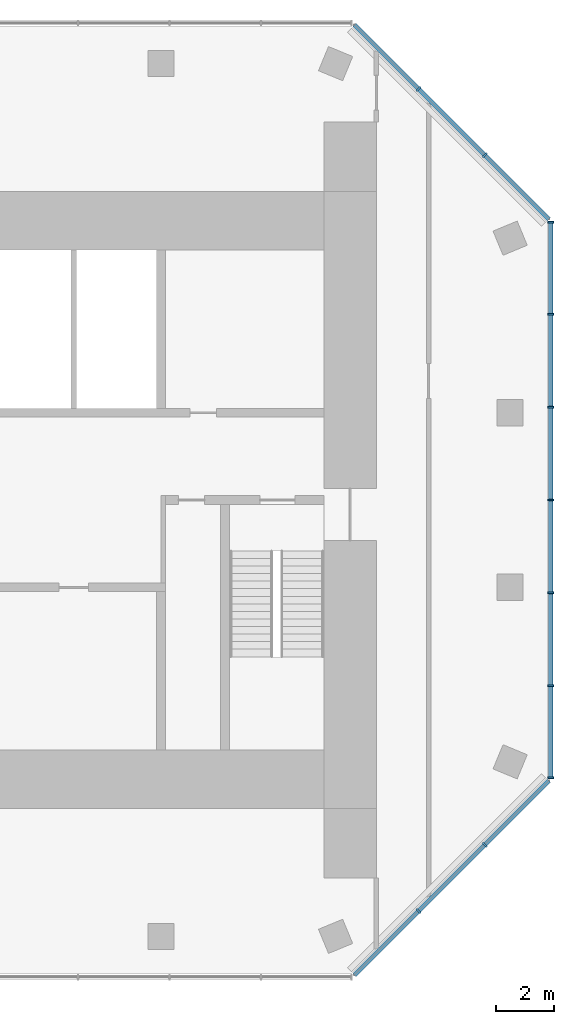
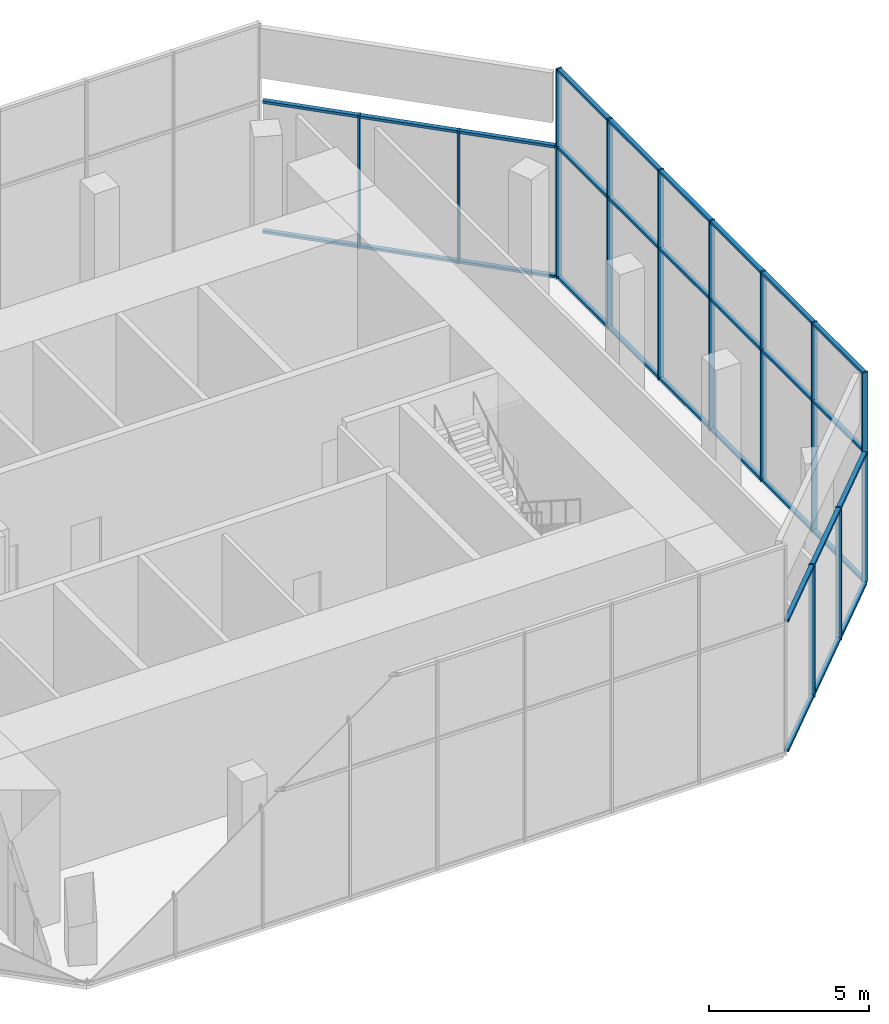
# One storey, part 4 of 9: 41 members, 3 elements without a shape of their own.
"""IFC4 building model written with IfcOpenShell, lengths in metres."""

from ifc_helpers import new_model, si_unit, direction, frame, origin, origin_2d, place, context, subcontext, project, spatial, rectangle, extrude, material, layer, layer_set, material_profile, profile_set, type_object, element, aggregate, save


model = new_model("IFC4")

# Units and contexts
model_context = context("Model", 3, precision=1e-05, world=origin(), true_north=direction((0.0, 1.0)))
body_context = subcontext(model_context, "Body", "Model", "MODEL_VIEW")
ifc_project = project(units=[si_unit("LENGTHUNIT", "METRE"), si_unit("AREAUNIT", "SQUARE_METRE"), si_unit("VOLUMEUNIT", "CUBIC_METRE"), si_unit("PLANEANGLEUNIT", "RADIAN"), si_unit("MASSUNIT", "GRAM", prefix="KILO")], contexts=[model_context])

# Site, building, storey
site_placement = place(None, origin())
site = spatial("IfcSite", under=ifc_project, at=site_placement, CompositionType="ELEMENT")
building_placement = place(site_placement, origin())
building = spatial("IfcBuilding", under=site, at=building_placement, Name="Highveld Stack Headquarters", CompositionType="ELEMENT")
storey_placement = place(building_placement, frame((0.0, 0.0, 300.699951171875)))
storey = spatial("IfcBuildingStorey", under=building, at=storey_placement, Name="L74", CompositionType="ELEMENT", Elevation=300.699951171875)

# Curtain wall, members
ifc_material_1 = material(Name="Aluminium bronze anodised", Category="aluminium")
ifc_layer = layer(ifc_material_1, 0.199951171875)
ifc_layer_set = layer_set([ifc_layer], Name="Aluminium bronze anodised")
curtain_wall_type = type_object("IfcCurtainWallType", Name="CW4 LANTERN CURTAIN WALL", PredefinedType="NOTDEFINED", material=ifc_layer_set)
curtain_wall_1_placement = place(storey_placement, origin())
curtain_wall_1 = element("IfcCurtainWall", 1, at=curtain_wall_1_placement, inside=storey, type_object=curtain_wall_type, Name="Curtain wall CW4 L74 SE", PredefinedType="NOTDEFINED")
ifc_material_2 = material(Name="Aluminium bronze anodised", Category="aluminium")
ifc_material_profile_1 = material_profile(ifc_material_2, rectangle(XDim=0.199951171875, YDim=0.06494140625, at=origin_2d()), Name="CW4 MULLION 65x200")
ifc_profile_set_1 = profile_set([ifc_material_profile_1], Name="Aluminium bronze anodised")
member_type_1 = type_object("IfcMemberType", Name="CW4 MULLION 65x200", PredefinedType="MULLION", material=ifc_profile_set_1)
member_1_placement = place(storey_placement, frame((20.853271484375, -11.126708984375, 0.0), z_axis=(0.0, 0.0, 1.0), x_axis=(-0.707106781187, 0.707106781187, 0.0)))
member_1 = element("IfcMember", 2, at=member_1_placement, type_object=member_type_1, Name="CW4 mullion L74 1", PredefinedType="MULLION", context=body_context, shape_type="SweptSolid", body=[
    extrude(rectangle(XDim=0.199951171875, YDim=0.06494140625, at=origin_2d()), origin(), (0.0, 0.0, 1.0), 5.050048828125),
])
member_2_placement = place(storey_placement, frame((23.126708984375, -8.853271484375, 0.0), z_axis=(0.0, 0.0, 1.0), x_axis=(-0.707106781187, 0.707106781187, 0.0)))
member_2 = element("IfcMember", 3, at=member_2_placement, type_object=member_type_1, Name="CW4 mullion L74 2", PredefinedType="MULLION", context=body_context, shape_type="SweptSolid", body=[
    extrude(rectangle(XDim=0.199951171875, YDim=0.06494140625, at=origin_2d()), origin(), (0.0, 0.0, 1.0), 5.050048828125),
])

curtain_wall_2_placement = place(storey_placement, origin())
curtain_wall_2 = element("IfcCurtainWall", 4, at=curtain_wall_2_placement, inside=storey, type_object=curtain_wall_type, Name="Curtain wall CW4 L74 E", PredefinedType="NOTDEFINED")
member_3_placement = place(storey_placement, frame((25.39990234375, -6.54736328125, 0.0), z_axis=(0.0, 0.0, 1.0), x_axis=(-1.0, 0.0, 0.0)))
member_3 = element("IfcMember", 5, at=member_3_placement, type_object=member_type_1, Name="CW4 mullion L74 1", PredefinedType="MULLION", context=body_context, shape_type="SweptSolid", body=[
    extrude(rectangle(XDim=0.199951171875, YDim=0.06494140625, at=origin_2d()), origin(), (0.0, 0.0, 1.0), 8.0),
])
member_4_placement = place(storey_placement, frame((25.39990234375, -3.38671875, 0.0), z_axis=(0.0, 0.0, 1.0), x_axis=(-1.0, 0.0, 0.0)))
member_4 = element("IfcMember", 6, at=member_4_placement, type_object=member_type_1, Name="CW4 mullion L74 2", PredefinedType="MULLION", context=body_context, shape_type="SweptSolid", body=[
    extrude(rectangle(XDim=0.199951171875, YDim=0.06494140625, at=origin_2d()), origin(), (0.0, 0.0, 1.0), 8.0),
])
member_5_placement = place(storey_placement, frame((25.39990234375, -0.193359375, 0.0), z_axis=(0.0, 0.0, 1.0), x_axis=(-1.0, 0.0, 0.0)))
member_5 = element("IfcMember", 7, at=member_5_placement, type_object=member_type_1, Name="CW4 mullion L74 3", PredefinedType="MULLION", context=body_context, shape_type="SweptSolid", body=[
    extrude(rectangle(XDim=0.199951171875, YDim=0.06494140625, at=origin_2d()), origin(), (0.0, 0.0, 1.0), 8.0),
])
member_6_placement = place(storey_placement, frame((25.39990234375, 3.0, 0.0), z_axis=(0.0, 0.0, 1.0), x_axis=(-1.0, 0.0, 0.0)))
member_6 = element("IfcMember", 8, at=member_6_placement, type_object=member_type_1, Name="CW4 mullion L74 4", PredefinedType="MULLION", context=body_context, shape_type="SweptSolid", body=[
    extrude(rectangle(XDim=0.199951171875, YDim=0.06494140625, at=origin_2d()), origin(), (0.0, 0.0, 1.0), 8.0),
])
member_7_placement = place(storey_placement, frame((25.39990234375, 6.193359375, 0.0), z_axis=(0.0, 0.0, 1.0), x_axis=(-1.0, 0.0, 0.0)))
member_7 = element("IfcMember", 9, at=member_7_placement, type_object=member_type_1, Name="CW4 mullion L74 5", PredefinedType="MULLION", context=body_context, shape_type="SweptSolid", body=[
    extrude(rectangle(XDim=0.199951171875, YDim=0.06494140625, at=origin_2d()), origin(), (0.0, 0.0, 1.0), 8.0),
])
member_8_placement = place(storey_placement, frame((25.39990234375, 9.38671875, 0.0), z_axis=(0.0, 0.0, 1.0), x_axis=(-1.0, 0.0, 0.0)))
member_8 = element("IfcMember", 10, at=member_8_placement, type_object=member_type_1, Name="CW4 mullion L74 6", PredefinedType="MULLION", context=body_context, shape_type="SweptSolid", body=[
    extrude(rectangle(XDim=0.199951171875, YDim=0.06494140625, at=origin_2d()), origin(), (0.0, 0.0, 1.0), 8.0),
])
member_9_placement = place(storey_placement, frame((25.39990234375, 12.54736328125, 0.0), z_axis=(0.0, 0.0, 1.0), x_axis=(-1.0, 0.0, 0.0)))
member_9 = element("IfcMember", 11, at=member_9_placement, type_object=member_type_1, Name="CW4 mullion L74 7", PredefinedType="MULLION", context=body_context, shape_type="SweptSolid", body=[
    extrude(rectangle(XDim=0.199951171875, YDim=0.06494140625, at=origin_2d()), origin(), (0.0, 0.0, 1.0), 8.0),
])

curtain_wall_3_placement = place(storey_placement, origin())
curtain_wall_3 = element("IfcCurtainWall", 12, at=curtain_wall_3_placement, inside=storey, type_object=curtain_wall_type, Name="Curtain wall CW4 L74 NE", PredefinedType="NOTDEFINED")
member_10_placement = place(storey_placement, frame((23.126708984375, 14.853271484375, 0.0), z_axis=(0.0, 0.0, 1.0), x_axis=(-0.707106781187, -0.707106781187, 0.0)))
member_10 = element("IfcMember", 13, at=member_10_placement, type_object=member_type_1, Name="CW4 mullion L74 1", PredefinedType="MULLION", context=body_context, shape_type="SweptSolid", body=[
    extrude(rectangle(XDim=0.199951171875, YDim=0.06494140625, at=origin_2d()), origin(), (0.0, 0.0, 1.0), 5.050048828125),
])
member_11_placement = place(storey_placement, frame((20.853271484375, 17.126708984375, 0.0), z_axis=(0.0, 0.0, 1.0), x_axis=(-0.707106781187, -0.707106781187, 0.0)))
member_11 = element("IfcMember", 14, at=member_11_placement, type_object=member_type_1, Name="CW4 mullion L74 2", PredefinedType="MULLION", context=body_context, shape_type="SweptSolid", body=[
    extrude(rectangle(XDim=0.199951171875, YDim=0.06494140625, at=origin_2d()), origin(), (0.0, 0.0, 1.0), 5.050048828125),
])

# Member
ifc_material_3 = material(Name="Aluminium bronze anodised", Category="aluminium")
ifc_material_profile_2 = material_profile(ifc_material_3, rectangle(XDim=0.14990234375, YDim=0.10009765625, at=origin_2d()), Name="CW4 TRANSOM 150x100")
ifc_profile_set_2 = profile_set([ifc_material_profile_2], Name="Aluminium bronze anodised")
member_type_2 = type_object("IfcMemberType", Name="CW4 STACK TRANSOM 150x100", PredefinedType="USERDEFINED", material=ifc_profile_set_2)
member_12_placement = place(storey_placement, frame((18.650634765625, -13.329345703125, 0.050048828125), z_axis=(0.707106781187, 0.707106781187, 0.0), x_axis=(-0.707106781187, 0.707106781187, 0.0)))
member_12 = element("IfcMember", 15, at=member_12_placement, type_object=member_type_2, Name="CW4 transom L74 1.1", ObjectType="TRANSOM", PredefinedType="USERDEFINED", context=body_context, shape_type="SweptSolid", body=[
    extrude(rectangle(XDim=0.14990234375, YDim=0.10009765625, at=origin_2d()), origin(), (0.0, 0.0, 1.0), 3.08251953125),
])

member_13_placement = place(storey_placement, frame((18.650634765625, -13.329345703125, 5.0), z_axis=(0.707106781187, 0.707106781187, 0.0), x_axis=(-0.707106781187, 0.707106781187, 0.0)))
member_13 = element("IfcMember", 16, at=member_13_placement, type_object=member_type_2, Name="CW4 transom L74 1.2", ObjectType="TRANSOM", PredefinedType="USERDEFINED", context=body_context, shape_type="SweptSolid", body=[
    extrude(rectangle(XDim=0.14990234375, YDim=0.10009765625, at=origin_2d()), origin(), (0.0, 0.0, 1.0), 3.08251953125),
])

member_14_placement = place(storey_placement, frame((20.876220703125, -11.103759765625, 0.050048828125), z_axis=(0.707106781187, 0.707106781187, 0.0), x_axis=(-0.707106781187, 0.707106781187, 0.0)))
member_14 = element("IfcMember", 17, at=member_14_placement, type_object=member_type_2, Name="CW4 transom L74 2.1", ObjectType="TRANSOM", PredefinedType="USERDEFINED", context=body_context, shape_type="SweptSolid", body=[
    extrude(rectangle(XDim=0.14990234375, YDim=0.10009765625, at=origin_2d()), origin(), (0.0, 0.0, 1.0), 3.150146484375),
])

member_15_placement = place(storey_placement, frame((20.876220703125, -11.103759765625, 5.0), z_axis=(0.707106781187, 0.707106781187, 0.0), x_axis=(-0.707106781187, 0.707106781187, 0.0)))
member_15 = element("IfcMember", 18, at=member_15_placement, type_object=member_type_2, Name="CW4 transom L74 2.2", ObjectType="TRANSOM", PredefinedType="USERDEFINED", context=body_context, shape_type="SweptSolid", body=[
    extrude(rectangle(XDim=0.14990234375, YDim=0.10009765625, at=origin_2d()), origin(), (0.0, 0.0, 1.0), 3.150146484375),
])

member_16_placement = place(storey_placement, frame((23.149658203125, -8.830322265625, 0.050048828125), z_axis=(0.707106781187, 0.707106781187, 0.0), x_axis=(-0.707106781187, 0.707106781187, 0.0)))
member_16 = element("IfcMember", 19, at=member_16_placement, type_object=member_type_2, Name="CW4 transom L74 3.1", ObjectType="TRANSOM", PredefinedType="USERDEFINED", context=body_context, shape_type="SweptSolid", body=[
    extrude(rectangle(XDim=0.14990234375, YDim=0.10009765625, at=origin_2d()), origin(), (0.0, 0.0, 1.0), 3.08251953125),
])

member_17_placement = place(storey_placement, frame((23.149658203125, -8.830322265625, 5.0), z_axis=(0.707106781187, 0.707106781187, 0.0), x_axis=(-0.707106781187, 0.707106781187, 0.0)))
member_17 = element("IfcMember", 20, at=member_17_placement, type_object=member_type_2, Name="CW4 transom L74 3.2", ObjectType="TRANSOM", PredefinedType="USERDEFINED", context=body_context, shape_type="SweptSolid", body=[
    extrude(rectangle(XDim=0.14990234375, YDim=0.10009765625, at=origin_2d()), origin(), (0.0, 0.0, 1.0), 3.08251953125),
])

aggregate(curtain_wall_1, [member_1, member_2, member_12, member_13, member_14, member_15, member_16, member_17])

member_18_placement = place(storey_placement, frame((25.39990234375, -6.514892578125, 0.050048828125), z_axis=(0.0, 1.0, 0.0), x_axis=(-1.0, 0.0, 0.0)))
member_18 = element("IfcMember", 21, at=member_18_placement, type_object=member_type_2, Name="CW4 transom L74 1.1", ObjectType="TRANSOM", PredefinedType="USERDEFINED", context=body_context, shape_type="SweptSolid", body=[
    extrude(rectangle(XDim=0.14990234375, YDim=0.10009765625, at=origin_2d()), origin(), (0.0, 0.0, 1.0), 3.095703125),
])

member_19_placement = place(storey_placement, frame((25.39990234375, -6.514892578125, 5.0), z_axis=(0.0, 1.0, 0.0), x_axis=(-1.0, 0.0, 0.0)))
member_19 = element("IfcMember", 22, at=member_19_placement, type_object=member_type_2, Name="CW4 transom L74 1.2", ObjectType="TRANSOM", PredefinedType="USERDEFINED", context=body_context, shape_type="SweptSolid", body=[
    extrude(rectangle(XDim=0.14990234375, YDim=0.10009765625, at=origin_2d()), origin(), (0.0, 0.0, 1.0), 3.095703125),
])

member_20_placement = place(storey_placement, frame((25.39990234375, -6.514892578125, 7.949951171875), z_axis=(0.0, 1.0, 0.0), x_axis=(-1.0, 0.0, 0.0)))
member_20 = element("IfcMember", 23, at=member_20_placement, type_object=member_type_2, Name="CW4 transom L74 1.3", ObjectType="TRANSOM", PredefinedType="USERDEFINED", context=body_context, shape_type="SweptSolid", body=[
    extrude(rectangle(XDim=0.14990234375, YDim=0.10009765625, at=origin_2d()), origin(), (0.0, 0.0, 1.0), 3.095703125),
])

member_21_placement = place(storey_placement, frame((25.39990234375, -3.35400390625, 0.050048828125), z_axis=(0.0, 1.0, 0.0), x_axis=(-1.0, 0.0, 0.0)))
member_21 = element("IfcMember", 24, at=member_21_placement, type_object=member_type_2, Name="CW4 transom L74 2.1", ObjectType="TRANSOM", PredefinedType="USERDEFINED", context=body_context, shape_type="SweptSolid", body=[
    extrude(rectangle(XDim=0.14990234375, YDim=0.10009765625, at=origin_2d()), origin(), (0.0, 0.0, 1.0), 3.128173828125),
])

member_22_placement = place(storey_placement, frame((25.39990234375, -3.35400390625, 5.0), z_axis=(0.0, 1.0, 0.0), x_axis=(-1.0, 0.0, 0.0)))
member_22 = element("IfcMember", 25, at=member_22_placement, type_object=member_type_2, Name="CW4 transom L74 2.2", ObjectType="TRANSOM", PredefinedType="USERDEFINED", context=body_context, shape_type="SweptSolid", body=[
    extrude(rectangle(XDim=0.14990234375, YDim=0.10009765625, at=origin_2d()), origin(), (0.0, 0.0, 1.0), 3.128173828125),
])

member_23_placement = place(storey_placement, frame((25.39990234375, -3.35400390625, 7.949951171875), z_axis=(0.0, 1.0, 0.0), x_axis=(-1.0, 0.0, 0.0)))
member_23 = element("IfcMember", 26, at=member_23_placement, type_object=member_type_2, Name="CW4 transom L74 2.3", ObjectType="TRANSOM", PredefinedType="USERDEFINED", context=body_context, shape_type="SweptSolid", body=[
    extrude(rectangle(XDim=0.14990234375, YDim=0.10009765625, at=origin_2d()), origin(), (0.0, 0.0, 1.0), 3.128173828125),
])

member_24_placement = place(storey_placement, frame((25.39990234375, -0.160888671875, 0.050048828125), z_axis=(0.0, 1.0, 0.0), x_axis=(-1.0, 0.0, 0.0)))
member_24 = element("IfcMember", 27, at=member_24_placement, type_object=member_type_2, Name="CW4 transom L74 3.1", ObjectType="TRANSOM", PredefinedType="USERDEFINED", context=body_context, shape_type="SweptSolid", body=[
    extrude(rectangle(XDim=0.14990234375, YDim=0.10009765625, at=origin_2d()), origin(), (0.0, 0.0, 1.0), 3.12841796875),
])

member_25_placement = place(storey_placement, frame((25.39990234375, -0.160888671875, 5.0), z_axis=(0.0, 1.0, 0.0), x_axis=(-1.0, 0.0, 0.0)))
member_25 = element("IfcMember", 28, at=member_25_placement, type_object=member_type_2, Name="CW4 transom L74 3.2", ObjectType="TRANSOM", PredefinedType="USERDEFINED", context=body_context, shape_type="SweptSolid", body=[
    extrude(rectangle(XDim=0.14990234375, YDim=0.10009765625, at=origin_2d()), origin(), (0.0, 0.0, 1.0), 3.12841796875),
])

member_26_placement = place(storey_placement, frame((25.39990234375, -0.160888671875, 7.949951171875), z_axis=(0.0, 1.0, 0.0), x_axis=(-1.0, 0.0, 0.0)))
member_26 = element("IfcMember", 29, at=member_26_placement, type_object=member_type_2, Name="CW4 transom L74 3.3", ObjectType="TRANSOM", PredefinedType="USERDEFINED", context=body_context, shape_type="SweptSolid", body=[
    extrude(rectangle(XDim=0.14990234375, YDim=0.10009765625, at=origin_2d()), origin(), (0.0, 0.0, 1.0), 3.12841796875),
])

member_27_placement = place(storey_placement, frame((25.39990234375, 3.032470703125, 0.050048828125), z_axis=(0.0, 1.0, 0.0), x_axis=(-1.0, 0.0, 0.0)))
member_27 = element("IfcMember", 30, at=member_27_placement, type_object=member_type_2, Name="CW4 transom L74 4.1", ObjectType="TRANSOM", PredefinedType="USERDEFINED", context=body_context, shape_type="SweptSolid", body=[
    extrude(rectangle(XDim=0.14990234375, YDim=0.10009765625, at=origin_2d()), origin(), (0.0, 0.0, 1.0), 3.12841796875),
])

member_28_placement = place(storey_placement, frame((25.39990234375, 3.032470703125, 5.0), z_axis=(0.0, 1.0, 0.0), x_axis=(-1.0, 0.0, 0.0)))
member_28 = element("IfcMember", 31, at=member_28_placement, type_object=member_type_2, Name="CW4 transom L74 4.2", ObjectType="TRANSOM", PredefinedType="USERDEFINED", context=body_context, shape_type="SweptSolid", body=[
    extrude(rectangle(XDim=0.14990234375, YDim=0.10009765625, at=origin_2d()), origin(), (0.0, 0.0, 1.0), 3.12841796875),
])

member_29_placement = place(storey_placement, frame((25.39990234375, 3.032470703125, 7.949951171875), z_axis=(0.0, 1.0, 0.0), x_axis=(-1.0, 0.0, 0.0)))
member_29 = element("IfcMember", 32, at=member_29_placement, type_object=member_type_2, Name="CW4 transom L74 4.3", ObjectType="TRANSOM", PredefinedType="USERDEFINED", context=body_context, shape_type="SweptSolid", body=[
    extrude(rectangle(XDim=0.14990234375, YDim=0.10009765625, at=origin_2d()), origin(), (0.0, 0.0, 1.0), 3.12841796875),
])

member_30_placement = place(storey_placement, frame((25.39990234375, 6.225830078125, 0.050048828125), z_axis=(0.0, 1.0, 0.0), x_axis=(-1.0, 0.0, 0.0)))
member_30 = element("IfcMember", 33, at=member_30_placement, type_object=member_type_2, Name="CW4 transom L74 5.1", ObjectType="TRANSOM", PredefinedType="USERDEFINED", context=body_context, shape_type="SweptSolid", body=[
    extrude(rectangle(XDim=0.14990234375, YDim=0.10009765625, at=origin_2d()), origin(), (0.0, 0.0, 1.0), 3.128173828125),
])

member_31_placement = place(storey_placement, frame((25.39990234375, 6.225830078125, 5.0), z_axis=(0.0, 1.0, 0.0), x_axis=(-1.0, 0.0, 0.0)))
member_31 = element("IfcMember", 34, at=member_31_placement, type_object=member_type_2, Name="CW4 transom L74 5.2", ObjectType="TRANSOM", PredefinedType="USERDEFINED", context=body_context, shape_type="SweptSolid", body=[
    extrude(rectangle(XDim=0.14990234375, YDim=0.10009765625, at=origin_2d()), origin(), (0.0, 0.0, 1.0), 3.128173828125),
])

member_32_placement = place(storey_placement, frame((25.39990234375, 6.225830078125, 7.949951171875), z_axis=(0.0, 1.0, 0.0), x_axis=(-1.0, 0.0, 0.0)))
member_32 = element("IfcMember", 35, at=member_32_placement, type_object=member_type_2, Name="CW4 transom L74 5.3", ObjectType="TRANSOM", PredefinedType="USERDEFINED", context=body_context, shape_type="SweptSolid", body=[
    extrude(rectangle(XDim=0.14990234375, YDim=0.10009765625, at=origin_2d()), origin(), (0.0, 0.0, 1.0), 3.128173828125),
])

member_33_placement = place(storey_placement, frame((25.39990234375, 9.419189453125, 0.050048828125), z_axis=(0.0, 1.0, 0.0), x_axis=(-1.0, 0.0, 0.0)))
member_33 = element("IfcMember", 36, at=member_33_placement, type_object=member_type_2, Name="CW4 transom L74 6.1", ObjectType="TRANSOM", PredefinedType="USERDEFINED", context=body_context, shape_type="SweptSolid", body=[
    extrude(rectangle(XDim=0.14990234375, YDim=0.10009765625, at=origin_2d()), origin(), (0.0, 0.0, 1.0), 3.095703125),
])

member_34_placement = place(storey_placement, frame((25.39990234375, 9.419189453125, 5.0), z_axis=(0.0, 1.0, 0.0), x_axis=(-1.0, 0.0, 0.0)))
member_34 = element("IfcMember", 37, at=member_34_placement, type_object=member_type_2, Name="CW4 transom L74 6.2", ObjectType="TRANSOM", PredefinedType="USERDEFINED", context=body_context, shape_type="SweptSolid", body=[
    extrude(rectangle(XDim=0.14990234375, YDim=0.10009765625, at=origin_2d()), origin(), (0.0, 0.0, 1.0), 3.095703125),
])

member_35_placement = place(storey_placement, frame((25.39990234375, 9.419189453125, 7.949951171875), z_axis=(0.0, 1.0, 0.0), x_axis=(-1.0, 0.0, 0.0)))
member_35 = element("IfcMember", 38, at=member_35_placement, type_object=member_type_2, Name="CW4 transom L74 6.3", ObjectType="TRANSOM", PredefinedType="USERDEFINED", context=body_context, shape_type="SweptSolid", body=[
    extrude(rectangle(XDim=0.14990234375, YDim=0.10009765625, at=origin_2d()), origin(), (0.0, 0.0, 1.0), 3.095703125),
])

aggregate(curtain_wall_2, [member_3, member_4, member_5, member_6, member_7, member_8, member_9, member_18, member_19, member_20, member_21, member_22, member_23, member_24, member_25, member_26, member_27, member_28, member_29, member_30, member_31, member_32, member_33, member_34, member_35])

member_36_placement = place(storey_placement, frame((25.329345703125, 12.650634765625, 0.050048828125), z_axis=(-0.707106781187, 0.707106781187, 0.0), x_axis=(-0.707106781187, -0.707106781187, 0.0)))
member_36 = element("IfcMember", 39, at=member_36_placement, type_object=member_type_2, Name="CW4 transom L74 1.1", ObjectType="TRANSOM", PredefinedType="USERDEFINED", context=body_context, shape_type="SweptSolid", body=[
    extrude(rectangle(XDim=0.14990234375, YDim=0.10009765625, at=origin_2d()), origin(), (0.0, 0.0, 1.0), 3.08251953125),
])

member_37_placement = place(storey_placement, frame((25.329345703125, 12.650634765625, 5.0), z_axis=(-0.707106781187, 0.707106781187, 0.0), x_axis=(-0.707106781187, -0.707106781187, 0.0)))
member_37 = element("IfcMember", 40, at=member_37_placement, type_object=member_type_2, Name="CW4 transom L74 1.2", ObjectType="TRANSOM", PredefinedType="USERDEFINED", context=body_context, shape_type="SweptSolid", body=[
    extrude(rectangle(XDim=0.14990234375, YDim=0.10009765625, at=origin_2d()), origin(), (0.0, 0.0, 1.0), 3.08251953125),
])

member_38_placement = place(storey_placement, frame((23.103759765625, 14.876220703125, 0.050048828125), z_axis=(-0.707106781187, 0.707106781187, 0.0), x_axis=(-0.707106781187, -0.707106781187, 0.0)))
member_38 = element("IfcMember", 41, at=member_38_placement, type_object=member_type_2, Name="CW4 transom L74 2.1", ObjectType="TRANSOM", PredefinedType="USERDEFINED", context=body_context, shape_type="SweptSolid", body=[
    extrude(rectangle(XDim=0.14990234375, YDim=0.10009765625, at=origin_2d()), origin(), (0.0, 0.0, 1.0), 3.150146484375),
])

member_39_placement = place(storey_placement, frame((23.103759765625, 14.876220703125, 5.0), z_axis=(-0.707106781187, 0.707106781187, 0.0), x_axis=(-0.707106781187, -0.707106781187, 0.0)))
member_39 = element("IfcMember", 42, at=member_39_placement, type_object=member_type_2, Name="CW4 transom L74 2.2", ObjectType="TRANSOM", PredefinedType="USERDEFINED", context=body_context, shape_type="SweptSolid", body=[
    extrude(rectangle(XDim=0.14990234375, YDim=0.10009765625, at=origin_2d()), origin(), (0.0, 0.0, 1.0), 3.150146484375),
])

member_40_placement = place(storey_placement, frame((20.830322265625, 17.149658203125, 0.050048828125), z_axis=(-0.707106781187, 0.707106781187, 0.0), x_axis=(-0.707106781187, -0.707106781187, 0.0)))
member_40 = element("IfcMember", 43, at=member_40_placement, type_object=member_type_2, Name="CW4 transom L74 3.1", ObjectType="TRANSOM", PredefinedType="USERDEFINED", context=body_context, shape_type="SweptSolid", body=[
    extrude(rectangle(XDim=0.14990234375, YDim=0.10009765625, at=origin_2d()), origin(), (0.0, 0.0, 1.0), 3.08251953125),
])

member_41_placement = place(storey_placement, frame((20.830322265625, 17.149658203125, 5.0), z_axis=(-0.707106781187, 0.707106781187, 0.0), x_axis=(-0.707106781187, -0.707106781187, 0.0)))
member_41 = element("IfcMember", 44, at=member_41_placement, type_object=member_type_2, Name="CW4 transom L74 3.2", ObjectType="TRANSOM", PredefinedType="USERDEFINED", context=body_context, shape_type="SweptSolid", body=[
    extrude(rectangle(XDim=0.14990234375, YDim=0.10009765625, at=origin_2d()), origin(), (0.0, 0.0, 1.0), 3.08251953125),
])

aggregate(curtain_wall_3, [member_10, member_11, member_36, member_37, member_38, member_39, member_40, member_41])

save(model, "model.ifc")
